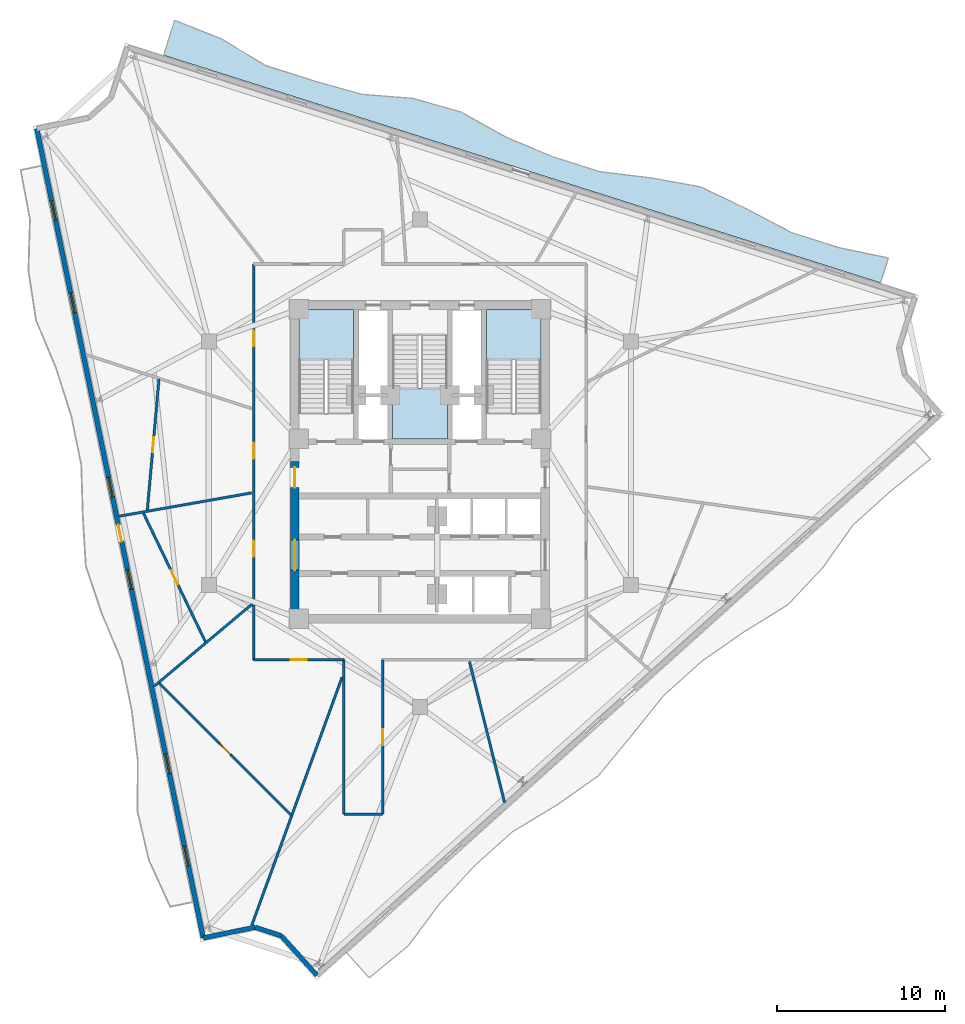
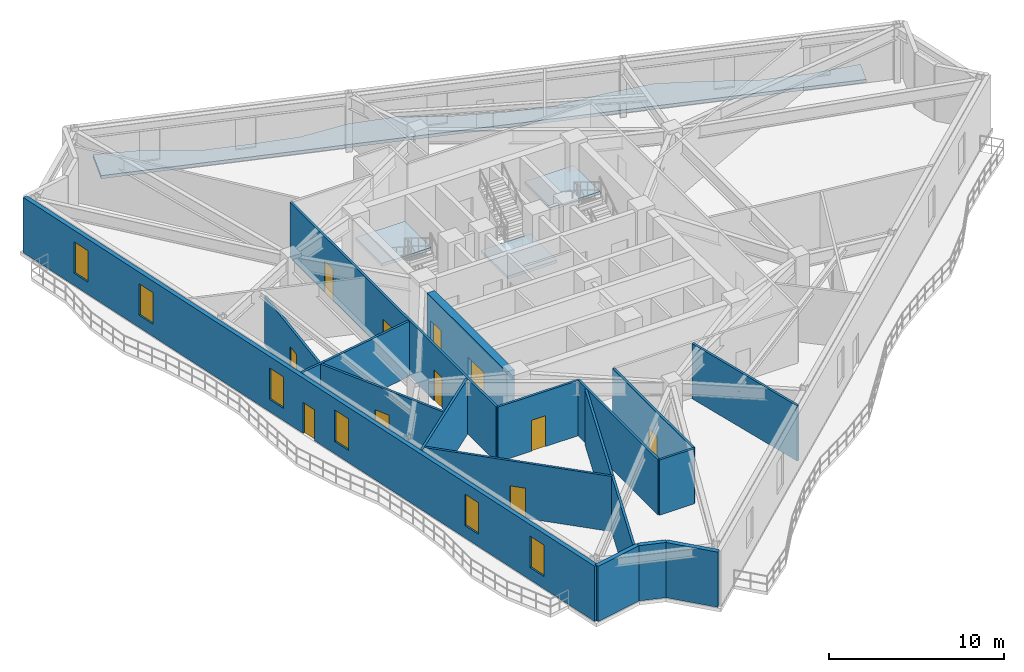
# One storey, part 5 of 12: 17 walls, 11 doors, 6 windows, 4 slabs, 17 openings, 3 elements without a shape of their own.
"""IFC4 building model written with IfcOpenShell, lengths in metres."""

import ifcopenshell
import ifcopenshell.guid

model = None  # the IFC model being written
_history = None  # IfcOwnerHistory: only IFC2X3 demands one
_inside = {}  # id of a spatial element -> (the spatial element, [elements in it])
_under = {}  # id of a project, library or spatial element -> (it, [spatial elements below it])
_declared = {}  # id of a project -> (the project, [libraries it declares])
_typed = {}  # id of a type object -> (the type object, [elements of that type])
_made_of = {}  # id of a material, layer set ... -> (it, [elements and type objects made of it])


def new_model(schema):
    """Start an empty IFC model of exactly this schema.

    Asked for "IFC4X3", IfcOpenShell would pick the latest addendum, in which some entities
    have other attributes; the version numbers below select the first issue.
    IFC2X3 requires an IfcOwnerHistory on every rooted entity: one is made here for all.
    """
    global model, _history
    if schema == "IFC4X3":
        model = ifcopenshell.file(schema_version=(4, 3, 0, 0))
    else:
        model = ifcopenshell.file(schema=schema)
    _inside.clear()
    _under.clear()
    _declared.clear()
    _typed.clear()
    _made_of.clear()
    _history = None
    if model.schema == "IFC2X3":
        org = make("IfcOrganization", Name="unknown")
        user = make(
            "IfcPersonAndOrganization",
            ThePerson=make("IfcPerson", FamilyName="unknown"),
            TheOrganization=org,
        )
        app = make(
            "IfcApplication",
            ApplicationDeveloper=org,
            Version="unknown",
            ApplicationFullName="unknown",
            ApplicationIdentifier="unknown",
        )
        _history = make(
            "IfcOwnerHistory",
            OwningUser=user,
            OwningApplication=app,
            ChangeAction="ADDED",
            CreationDate=0,
        )
    return model


def make(cls, **values):
    """One entity of the class cls with the attributes given. An attribute that is None is left unset."""
    return model.create_entity(
        cls, **{name: value for name, value in values.items() if value is not None}
    )


def rooted(cls, **values):
    """An entity with a GlobalId (a new one), such as an element, a storey or a relation."""
    return make(cls, GlobalId=ifcopenshell.guid.new(), OwnerHistory=_history, **values)


def si_unit(unit_type, name, prefix=None):
    """IfcSIUnit, for example si_unit("LENGTHUNIT", "METRE", prefix="MILLI")."""
    return make("IfcSIUnit", UnitType=unit_type, Prefix=prefix, Name=name)


def assignment(units):
    """IfcUnitAssignment: the units of a project."""
    return None if units is None else make("IfcUnitAssignment", Units=units)


def point(xyz):
    """IfcCartesianPoint."""
    return None if xyz is None else make("IfcCartesianPoint", Coordinates=xyz)


def direction(xyz):
    """IfcDirection."""
    return None if xyz is None else make("IfcDirection", DirectionRatios=xyz)


def frame(location, z_axis=None, x_axis=None):
    """IfcAxis2Placement3D, a coordinate frame: its origin and axes. An axis left out is left unset."""
    return make(
        "IfcAxis2Placement3D",
        Location=point(location),
        Axis=direction(z_axis),
        RefDirection=direction(x_axis),
    )


def frame_2d(location, x_axis=None):
    """IfcAxis2Placement2D, a coordinate frame in the plane: its origin and x axis."""
    return make(
        "IfcAxis2Placement2D", Location=point(location), RefDirection=direction(x_axis)
    )


def origin():
    """The frame at (0, 0, 0) with its axes left unset."""
    return frame((0.0, 0.0, 0.0))


def place(relative_to, where):
    """IfcLocalPlacement: puts the frame where relative to a parent placement (None: the world)."""
    return make(
        "IfcLocalPlacement", PlacementRelTo=relative_to, RelativePlacement=where
    )


def context(
    kind, dimensions, precision=None, world=None, true_north=None, identifier=None
):
    """IfcGeometricRepresentationContext, for example the 3D "Model" context."""
    return make(
        "IfcGeometricRepresentationContext",
        ContextIdentifier=identifier,
        ContextType=kind,
        CoordinateSpaceDimension=dimensions,
        Precision=precision,
        WorldCoordinateSystem=world,
        TrueNorth=true_north,
    )


def subcontext(parent, identifier, kind, view, scale=None):
    """IfcGeometricRepresentationSubContext, for example "Body" below "Model"."""
    return make(
        "IfcGeometricRepresentationSubContext",
        ContextIdentifier=identifier,
        ContextType=kind,
        ParentContext=parent,
        TargetScale=scale,
        TargetView=view,
    )


def project(units=None, contexts=None):
    """IfcProject with its units and contexts."""
    return rooted(
        "IfcProject",
        Name="project",
        RepresentationContexts=contexts,
        UnitsInContext=assignment(units),
    )


def spatial(cls, under=None, at=None, **own):
    """A site, building, storey or space (cls), placed at a placement, below another one or the project."""
    s = rooted(cls, ObjectPlacement=at, **own)
    if under is not None:
        _under.setdefault(under.id(), (under, []))[1].append(s)
    return s


def polyline(points):
    """IfcPolyline through the points."""
    return make("IfcPolyline", Points=[point(p) for p in points])


def profile(cls, at=None, kind="AREA", **sizes):
    """A parametric profile (cls). Its sizes go by their IFC names, for example OverallWidth=200.0."""
    return make(cls, ProfileType=kind, Position=at, **sizes)


def rectangle(**sizes):
    """IfcRectangleProfileDef."""
    return profile("IfcRectangleProfileDef", **sizes)


def outline(outer, holes=None, kind="AREA"):
    """IfcArbitraryClosedProfileDef: a profile drawn as a closed curve; with holes, ...WithVoids."""
    if holes is None:
        return make("IfcArbitraryClosedProfileDef", ProfileType=kind, OuterCurve=outer)
    return make(
        "IfcArbitraryProfileDefWithVoids",
        ProfileType=kind,
        OuterCurve=outer,
        InnerCurves=holes,
    )


def extrude(swept, where, along, depth):
    """IfcExtrudedAreaSolid: the profile swept, set in the frame where, extruded along a direction by depth."""
    return make(
        "IfcExtrudedAreaSolid",
        SweptArea=swept,
        Position=where,
        ExtrudedDirection=direction(along),
        Depth=depth,
    )


def shape(context_of_items, identifier, shape_type, items):
    """IfcShapeRepresentation: the items that make up one representation, for example the "Body"."""
    return make(
        "IfcShapeRepresentation",
        ContextOfItems=context_of_items,
        RepresentationIdentifier=identifier,
        RepresentationType=shape_type,
        Items=items,
    )


def material(Name=None, Category=None):
    """IfcMaterial."""
    return make("IfcMaterial", Name=Name, Category=Category)


def layer(
    of_material, thickness, ventilated=None, Name=None, Category=None, Priority=None
):
    """IfcMaterialLayer: one layer of a wall or slab, of a material (None: an air gap)."""
    return make(
        "IfcMaterialLayer",
        Material=of_material,
        LayerThickness=thickness,
        IsVentilated=ventilated,
        Name=Name,
        Category=Category,
        Priority=Priority,
    )


def layer_set(layers, Name=None):
    """IfcMaterialLayerSet."""
    return make("IfcMaterialLayerSet", MaterialLayers=layers, LayerSetName=Name)


def made_of(thing, what):
    """Note that an element or type object is made of a material, layer set ...; save() writes the relation."""
    if what is not None:
        _made_of.setdefault(what.id(), (what, []))[1].append(thing)
    return thing


def type_object(cls, material=None, **own):
    """A type object (cls), such as IfcWallType, which elements share."""
    return made_of(rooted(cls, **own), material)


def element(
    cls,
    number,
    at=None,
    inside=None,
    cuts=None,
    type_object=None,
    material=None,
    context=None,
    identifier="Body",
    shape_type=None,
    held_by="IfcProductDefinitionShape",
    body=None,
    shapes=None,
    **own,
):
    """One element of the class cls, such as IfcWall. Its Tag is "e" and its number.

    at: its placement. inside: the storey or other place that contains it. cuts: it is an
    opening in that element (IfcRelVoidsElement). A single representation is given by context,
    identifier, shape_type and body (its items); several are given by shapes. held_by: the class
    of the entity that holds the representations. save() writes the other relations.
    """
    e = rooted(cls, Tag="e%d" % number, ObjectPlacement=at, **own)
    if body is not None:
        shapes = [shape(context, identifier, shape_type, body)]
    if shapes is not None:
        e.Representation = make(held_by, Representations=shapes)
    if inside is not None:
        _inside.setdefault(inside.id(), (inside, []))[1].append(e)
    if cuts is not None:
        rooted(
            "IfcRelVoidsElement", RelatingBuildingElement=cuts, RelatedOpeningElement=e
        )
    if type_object is not None:
        _typed.setdefault(type_object.id(), (type_object, []))[1].append(e)
    return made_of(e, material)


def fill(opening, filler):
    """IfcRelFillsElement: the door or window that sits in an opening."""
    return rooted(
        "IfcRelFillsElement",
        RelatingOpeningElement=opening,
        RelatedBuildingElement=filler,
    )


def aggregate(whole, parts):
    """IfcRelAggregates: a whole, such as a stair, and the parts it consists of."""
    return rooted("IfcRelAggregates", RelatingObject=whole, RelatedObjects=parts)


def save(model, path):
    """Write the relations noted so far, then the file.

    IfcRelAggregates (storeys below a building ...), IfcRelContainedInSpatialStructure (elements
    in a storey), IfcRelDefinesByType, IfcRelAssociatesMaterial and IfcRelDeclares: one each for
    every whole, place, type object, material and project.
    """
    for whole, parts in _under.values():
        aggregate(whole, parts)
    for where, things in _inside.values():
        rooted(
            "IfcRelContainedInSpatialStructure",
            RelatedElements=things,
            RelatingStructure=where,
        )
    for kind, things in _typed.values():
        rooted("IfcRelDefinesByType", RelatedObjects=things, RelatingType=kind)
    for what, things in _made_of.values():
        rooted("IfcRelAssociatesMaterial", RelatedObjects=things, RelatingMaterial=what)
    for by, libraries in _declared.values():
        rooted("IfcRelDeclares", RelatingContext=by, RelatedDefinitions=libraries)
    model.write(path)


model = new_model("IFC4")

# Units and contexts
model_context = context("Model", 3, precision=1e-05, world=origin(), true_north=direction((0.0, 1.0)))
body_context = subcontext(model_context, "Body", "Model", "MODEL_VIEW")
ifc_project = project(units=[si_unit("LENGTHUNIT", "METRE"), si_unit("AREAUNIT", "SQUARE_METRE"), si_unit("VOLUMEUNIT", "CUBIC_METRE"), si_unit("PLANEANGLEUNIT", "RADIAN"), si_unit("MASSUNIT", "GRAM", prefix="KILO")], contexts=[model_context])

# Site, building, storey
site_placement = place(None, origin())
site = spatial("IfcSite", under=ifc_project, at=site_placement, CompositionType="ELEMENT")
building_placement = place(site_placement, origin())
building = spatial("IfcBuilding", under=site, at=building_placement, Name="Apsidion Concourse Tower", CompositionType="ELEMENT")
storey_placement = place(building_placement, frame((0.0, 0.0, 232.199951171875)))
storey = spatial("IfcBuildingStorey", under=building, at=storey_placement, Name="L54", CompositionType="ELEMENT", Elevation=232.199951171875)

# Slab
ifc_material_1 = material(Name="Concrete C50/60", Category="concrete")
ifc_layer_1 = layer(ifc_material_1, 0.219970703125)
ifc_layer_set_1 = layer_set([ifc_layer_1], Name="Concrete C50/60")
slab_type_1 = type_object("IfcSlabType", Name="SL-BAL-220", PredefinedType="FLOOR", material=ifc_layer_set_1)
slab_1_placement = place(storey_placement, frame((0.0, 0.0, -0.219970703125)))
element("IfcSlab", 1, at=slab_1_placement, inside=storey, type_object=slab_type_1, Name="L54 Face 3 Rippling Balcony Slab", PredefinedType="FLOOR", context=body_context, shape_type="SweptSolid", body=[
    extrude(outline(polyline([(27.39599609375, 10.727294921875), (24.552978515625, 11.63037109375), (21.7099609375, 12.533447265625), (18.86669921875, 13.436279296875), (16.023681640625, 14.33935546875), (13.1806640625, 15.2421875), (10.337646484375, 16.145263671875), (7.49462890625, 17.04833984375), (4.651611328125, 17.951416015625), (1.80859375, 18.854248046875), (-1.03466796875, 19.75732421875), (-3.877685546875, 20.660400390625), (-6.720703125, 21.563232421875), (-9.563720703125, 22.46630859375), (-12.40673828125, 23.369140625), (-15.25, 24.272216796875), (-14.59228515625, 26.342529296875), (-11.81201171875, 25.24169921875), (-9.185302734375, 23.65771484375), (-6.34228515625, 22.754638671875), (-3.47021484375, 21.943115234375), (-0.417236328125, 21.70068359375), (2.45458984375, 20.888671875), (5.110107421875, 19.3955078125), (7.873046875, 18.23974609375), (10.716064453125, 17.336669921875), (13.731201171875, 16.9755859375), (16.689697265625, 16.435791015625), (19.40771484375, 15.13916015625), (22.08837890625, 13.724609375), (24.931396484375, 12.82177734375), (27.865234375, 12.20458984375), (27.39599609375, 10.727294921875)])), origin(), (0.0, 0.0, 1.0), 0.219970703125),
])

# Stair, slab
ifc_material_2 = material(Name="Precast concrete C40/50", Category="concrete")
stair_type = type_object("IfcStairType", Name="ST-DL-1550", PredefinedType="HALF_TURN_STAIR", material=ifc_material_2)
stair_1_placement = place(storey_placement, origin())
stair_1 = element("IfcStair", 2, at=stair_1_placement, inside=storey, type_object=stair_type, Name="L54 Protected Core Exit Stair ST1", PredefinedType="HALF_TURN_STAIR")
ifc_layer_2 = layer(ifc_material_1, 0.199951171875)
ifc_layer_set_2 = layer_set([ifc_layer_2], Name="Concrete C50/60")
slab_type_2 = type_object("IfcSlabType", Name="SL-ST-LAND-200", PredefinedType="LANDING", material=ifc_layer_set_2)
slab_2_placement = place(storey_placement, frame((0.0, 0.0, 1.85009765625)))
slab_2 = element("IfcSlab", 3, at=slab_2_placement, type_object=slab_type_2, Name="ST1 landing 1", PredefinedType="LANDING", context=body_context, shape_type="SweptSolid", body=[
    extrude(outline(polyline([(-3.949951171875, 6.135009765625), (-3.949951171875, 9.14990234375), (-7.199951171875, 9.14990234375), (-7.199951171875, 6.135009765625), (-3.949951171875, 6.135009765625)])), origin(), (0.0, 0.0, 1.0), 0.199951171875),
])
aggregate(stair_1, [slab_2])

stair_2_placement = place(storey_placement, origin())
stair_2 = element("IfcStair", 4, at=stair_2_placement, inside=storey, type_object=stair_type, Name="L54 Protected Core Exit Stair ST2", PredefinedType="HALF_TURN_STAIR")
slab_3_placement = place(storey_placement, frame((0.0, 0.0, 1.85009765625)))
slab_3 = element("IfcSlab", 5, at=slab_3_placement, type_object=slab_type_2, Name="ST2 landing 1", PredefinedType="LANDING", context=body_context, shape_type="SweptSolid", body=[
    extrude(outline(polyline([(7.199951171875, 6.135009765625), (7.199951171875, 9.14990234375), (3.949951171875, 9.14990234375), (3.949951171875, 6.135009765625), (7.199951171875, 6.135009765625)])), origin(), (0.0, 0.0, 1.0), 0.199951171875),
])
aggregate(stair_2, [slab_3])

stair_3_placement = place(storey_placement, origin())
stair_3 = element("IfcStair", 6, at=stair_3_placement, inside=storey, type_object=stair_type, Name="L54 Protected Core Exit Stair ST3", PredefinedType="HALF_TURN_STAIR")
slab_4_placement = place(storey_placement, frame((0.0, 0.0, 1.85009765625)))
slab_4 = element("IfcSlab", 7, at=slab_4_placement, type_object=slab_type_2, Name="ST3 landing 1", PredefinedType="LANDING", context=body_context, shape_type="SweptSolid", body=[
    extrude(outline(polyline([(-1.625, 4.465087890625), (-1.625, 1.449951171875), (1.625, 1.449951171875), (1.625, 4.465087890625), (-1.625, 4.465087890625)])), origin(), (0.0, 0.0, 1.0), 0.199951171875),
])
aggregate(stair_3, [slab_4])

# Walls
ifc_layer_3 = layer(ifc_material_2, 0.280029296875)
ifc_layer_set_3 = layer_set([ifc_layer_3], Name="Precast concrete C40/50")
wall_type_1 = type_object("IfcWallType", Name="WL-EXT-280", PredefinedType="STANDARD", material=ifc_layer_set_3)
wall_1_placement = place(storey_placement, frame((-6.13330078125, -30.46044921875, 0.0), z_axis=(0.0, 0.0, 1.0), x_axis=(-0.669131702868, 0.743143838175, 0.0)))
element("IfcWall", 8, at=wall_1_placement, inside=storey, type_object=wall_type_1, Name="L54 Precast Stone Facade Wall 06", PredefinedType="STANDARD", context=body_context, shape_type="SweptSolid", body=[
    extrude(rectangle(XDim=3.150146484375, YDim=0.280029296875, at=frame_2d((1.5751953125, 0.0))), origin(), (0.0, 0.0, 1.0), 3.85009765625),
])
wall_2_placement = place(storey_placement, frame((-8.2412109375, -28.119384765625, 0.0), z_axis=(0.0, 0.0, 1.0), x_axis=(-0.950036767419, 0.312138015231, 0.0)))
element("IfcWall", 9, at=wall_2_placement, inside=storey, type_object=wall_type_1, Name="L54 Precast Stone Facade Wall 07", PredefinedType="STANDARD", context=body_context, shape_type="SweptSolid", body=[
    extrude(rectangle(XDim=1.648681640625, YDim=0.280029296875, at=frame_2d((0.82421875, 0.0))), origin(), (0.0, 0.0, 1.0), 3.85009765625),
])
wall_3_placement = place(storey_placement, frame((-9.8076171875, -27.604736328125, 0.0), z_axis=(0.0, 0.0, 1.0), x_axis=(-0.979505186658, -0.201418939799, 0.0)))
element("IfcWall", 10, at=wall_3_placement, inside=storey, type_object=wall_type_1, Name="L54 Precast Stone Facade Wall 08", PredefinedType="STANDARD", context=body_context, shape_type="SweptSolid", body=[
    extrude(rectangle(XDim=3.150146484375, YDim=0.280029296875, at=frame_2d((1.5751953125, 0.0))), origin(), (0.0, 0.0, 1.0), 3.85009765625),
])

# Wall, openings, door, windows
wall_4_placement = place(storey_placement, frame((-12.893310546875, -28.2392578125, 0.0), z_axis=(0.0, 0.0, 1.0), x_axis=(-0.201426823496, 0.979503565474, 0.0)))
wall_4 = element("IfcWall", 11, at=wall_4_placement, inside=storey, type_object=wall_type_1, Name="L54 Precast Stone Facade Wall 09", PredefinedType="STANDARD", context=body_context, shape_type="SweptSolid", body=[
    extrude(rectangle(XDim=49.145263671875, YDim=0.280029296875, at=frame_2d((24.57275390625, 0.0))), origin(), (0.0, 0.0, 1.0), 3.85009765625),
])
opening_1_placement = place(wall_4_placement, frame((24.072509765625, 0.0, 0.0)))
opening_1 = element("IfcOpeningElement", 12, at=opening_1_placement, cuts=wall_4, Name="Opening D-T1L", PredefinedType="OPENING", context=body_context, shape_type="SweptSolid", body=[
    extrude(rectangle(XDim=1.0, YDim=2.14990234375, at=frame_2d((0.5, 1.074951171875))), frame((0.0, 0.14990234375, 0.0), z_axis=(0.0, -1.0, 0.0), x_axis=(1.0, 0.0, 0.0)), (0.0, 0.0, 1.0), 0.300048828125),
])
opening_2_placement = place(wall_4_placement, frame((4.37255859375, 0.0, 0.85009765625)))
opening_2 = element("IfcOpeningElement", 13, at=opening_2_placement, cuts=wall_4, Name="Opening WN-06", PredefinedType="OPENING", context=body_context, shape_type="SweptSolid", body=[
    extrude(rectangle(XDim=1.199951171875, YDim=2.199951171875, at=frame_2d((0.60009765625, 1.10009765625))), frame((0.0, 0.14990234375, 0.0), z_axis=(0.0, -1.0, 0.0), x_axis=(1.0, 0.0, 0.0)), (0.0, 0.0, 1.0), 0.300048828125),
])
opening_3_placement = place(wall_4_placement, frame((9.97265625, 0.0, 0.85009765625)))
opening_3 = element("IfcOpeningElement", 14, at=opening_3_placement, cuts=wall_4, Name="Opening WN-06", PredefinedType="OPENING", context=body_context, shape_type="SweptSolid", body=[
    extrude(rectangle(XDim=1.199951171875, YDim=2.199951171875, at=frame_2d((0.60009765625, 1.10009765625))), frame((0.0, 0.14990234375, 0.0), z_axis=(0.0, -1.0, 0.0), x_axis=(1.0, 0.0, 0.0)), (0.0, 0.0, 1.0), 0.300048828125),
])
opening_4_placement = place(wall_4_placement, frame((21.172607421875, 0.0, 0.85009765625)))
opening_4 = element("IfcOpeningElement", 15, at=opening_4_placement, cuts=wall_4, Name="Opening WN-06", PredefinedType="OPENING", context=body_context, shape_type="SweptSolid", body=[
    extrude(rectangle(XDim=1.199951171875, YDim=2.199951171875, at=frame_2d((0.60009765625, 1.10009765625))), frame((0.0, 0.14990234375, 0.0), z_axis=(0.0, -1.0, 0.0), x_axis=(1.0, 0.0, 0.0)), (0.0, 0.0, 1.0), 0.300048828125),
])
opening_5_placement = place(wall_4_placement, frame((26.772705078125, 0.0, 0.85009765625)))
opening_5 = element("IfcOpeningElement", 16, at=opening_5_placement, cuts=wall_4, Name="Opening WN-06", PredefinedType="OPENING", context=body_context, shape_type="SweptSolid", body=[
    extrude(rectangle(XDim=1.199951171875, YDim=2.199951171875, at=frame_2d((0.60009765625, 1.10009765625))), frame((0.0, 0.14990234375, 0.0), z_axis=(0.0, -1.0, 0.0), x_axis=(1.0, 0.0, 0.0)), (0.0, 0.0, 1.0), 0.300048828125),
])
opening_6_placement = place(wall_4_placement, frame((37.97265625, 0.0, 0.85009765625)))
opening_6 = element("IfcOpeningElement", 17, at=opening_6_placement, cuts=wall_4, Name="Opening WN-06", PredefinedType="OPENING", context=body_context, shape_type="SweptSolid", body=[
    extrude(rectangle(XDim=1.199951171875, YDim=2.199951171875, at=frame_2d((0.60009765625, 1.10009765625))), frame((0.0, 0.14990234375, 0.0), z_axis=(0.0, -1.0, 0.0), x_axis=(1.0, 0.0, 0.0)), (0.0, 0.0, 1.0), 0.300048828125),
])
opening_7_placement = place(wall_4_placement, frame((43.572509765625, 0.0, 0.85009765625)))
opening_7 = element("IfcOpeningElement", 18, at=opening_7_placement, cuts=wall_4, Name="Opening WN-06", PredefinedType="OPENING", context=body_context, shape_type="SweptSolid", body=[
    extrude(rectangle(XDim=1.199951171875, YDim=2.199951171875, at=frame_2d((0.60009765625, 1.10009765625))), frame((0.0, 0.14990234375, 0.0), z_axis=(0.0, -1.0, 0.0), x_axis=(1.0, 0.0, 0.0)), (0.0, 0.0, 1.0), 0.300048828125),
])
ifc_material_3 = material(Name="Anodised aluminium EN AW-6063 T6", Category="aluminium")
door_type_1 = type_object("IfcDoorType", Name="DR-TER-1022L", OperationType="SINGLE_SWING_LEFT", PredefinedType="DOOR", material=ifc_material_3)
door_1_placement = place(opening_1_placement, origin())
door_1 = element("IfcDoor", 19, at=door_1_placement, inside=storey, type_object=door_type_1, Name="L54 Balcony Access Door 1", OperationType="SINGLE_SWING_LEFT", OverallHeight=2.14990234375, OverallWidth=1.0, PredefinedType="DOOR", context=body_context, shape_type="SweptSolid", body=[
    extrude(rectangle(XDim=1.0, YDim=2.14990234375, at=frame_2d((0.5, 1.074951171875))), frame((0.0, 0.02490234375, 0.0), z_axis=(0.0, -1.0, 0.0), x_axis=(1.0, 0.0, 0.0)), (0.0, 0.0, 1.0), 0.050048828125),
])
fill(opening_1, door_1)
ifc_material_4 = material(Name="Insulated laminated low-E glass", Category="glass")
window_type = type_object("IfcWindowType", Name="WN-OFF-1224", PartitioningType="SINGLE_PANEL", PredefinedType="WINDOW", material=ifc_material_4)
window_1_placement = place(opening_2_placement, origin())
window_1 = element("IfcWindow", 20, at=window_1_placement, inside=storey, type_object=window_type, Name="L54 Punched Facade Window 9-01", OverallHeight=2.199951171875, OverallWidth=1.199951171875, PartitioningType="SINGLE_PANEL", PredefinedType="WINDOW", context=body_context, shape_type="SweptSolid", body=[
    extrude(rectangle(XDim=1.199951171875, YDim=2.199951171875, at=frame_2d((0.60009765625, 1.10009765625))), frame((0.0, 0.030029296875, 0.0), z_axis=(0.0, -1.0, 0.0), x_axis=(1.0, 0.0, 0.0)), (0.0, 0.0, 1.0), 0.06005859375),
])
fill(opening_2, window_1)
window_2_placement = place(opening_3_placement, origin())
window_2 = element("IfcWindow", 21, at=window_2_placement, inside=storey, type_object=window_type, Name="L54 Punched Facade Window 9-02", OverallHeight=2.199951171875, OverallWidth=1.199951171875, PartitioningType="SINGLE_PANEL", PredefinedType="WINDOW", context=body_context, shape_type="SweptSolid", body=[
    extrude(rectangle(XDim=1.199951171875, YDim=2.199951171875, at=frame_2d((0.60009765625, 1.10009765625))), frame((0.0, 0.030029296875, 0.0), z_axis=(0.0, -1.0, 0.0), x_axis=(1.0, 0.0, 0.0)), (0.0, 0.0, 1.0), 0.06005859375),
])
fill(opening_3, window_2)
window_3_placement = place(opening_4_placement, origin())
window_3 = element("IfcWindow", 22, at=window_3_placement, inside=storey, type_object=window_type, Name="L54 Punched Facade Window 9-04", OverallHeight=2.199951171875, OverallWidth=1.199951171875, PartitioningType="SINGLE_PANEL", PredefinedType="WINDOW", context=body_context, shape_type="SweptSolid", body=[
    extrude(rectangle(XDim=1.199951171875, YDim=2.199951171875, at=frame_2d((0.60009765625, 1.10009765625))), frame((0.0, 0.030029296875, 0.0), z_axis=(0.0, -1.0, 0.0), x_axis=(1.0, 0.0, 0.0)), (0.0, 0.0, 1.0), 0.06005859375),
])
fill(opening_4, window_3)
window_4_placement = place(opening_5_placement, origin())
window_4 = element("IfcWindow", 23, at=window_4_placement, inside=storey, type_object=window_type, Name="L54 Punched Facade Window 9-05", OverallHeight=2.199951171875, OverallWidth=1.199951171875, PartitioningType="SINGLE_PANEL", PredefinedType="WINDOW", context=body_context, shape_type="SweptSolid", body=[
    extrude(rectangle(XDim=1.199951171875, YDim=2.199951171875, at=frame_2d((0.60009765625, 1.10009765625))), frame((0.0, 0.030029296875, 0.0), z_axis=(0.0, -1.0, 0.0), x_axis=(1.0, 0.0, 0.0)), (0.0, 0.0, 1.0), 0.06005859375),
])
fill(opening_5, window_4)
window_5_placement = place(opening_6_placement, origin())
window_5 = element("IfcWindow", 24, at=window_5_placement, inside=storey, type_object=window_type, Name="L54 Punched Facade Window 9-07", OverallHeight=2.199951171875, OverallWidth=1.199951171875, PartitioningType="SINGLE_PANEL", PredefinedType="WINDOW", context=body_context, shape_type="SweptSolid", body=[
    extrude(rectangle(XDim=1.199951171875, YDim=2.199951171875, at=frame_2d((0.60009765625, 1.10009765625))), frame((0.0, 0.030029296875, 0.0), z_axis=(0.0, -1.0, 0.0), x_axis=(1.0, 0.0, 0.0)), (0.0, 0.0, 1.0), 0.06005859375),
])
fill(opening_6, window_5)
window_6_placement = place(opening_7_placement, origin())
window_6 = element("IfcWindow", 25, at=window_6_placement, inside=storey, type_object=window_type, Name="L54 Punched Facade Window 9-08", OverallHeight=2.199951171875, OverallWidth=1.199951171875, PartitioningType="SINGLE_PANEL", PredefinedType="WINDOW", context=body_context, shape_type="SweptSolid", body=[
    extrude(rectangle(XDim=1.199951171875, YDim=2.199951171875, at=frame_2d((0.60009765625, 1.10009765625))), frame((0.0, 0.030029296875, 0.0), z_axis=(0.0, -1.0, 0.0), x_axis=(1.0, 0.0, 0.0)), (0.0, 0.0, 1.0), 0.06005859375),
])
fill(opening_7, window_6)

# Wall, opening, door
ifc_material_5 = material(Name="Gypsum plasterboard partition")
ifc_layer_4 = layer(ifc_material_5, 0.14990234375)
ifc_layer_set_4 = layer_set([ifc_layer_4], Name="Gypsum plasterboard partition")
wall_type_2 = type_object("IfcWallType", Name="WL-INT-PAR-150", PredefinedType="PARTITIONING", material=ifc_layer_set_4)
wall_5_placement = place(storey_placement, frame((-4.530029296875, -11.699951171875, 0.0), z_axis=(0.0, 0.0, 1.0), x_axis=(-1.0, 0.0, 0.0)))
wall_5 = element("IfcWall", 26, at=wall_5_placement, inside=storey, type_object=wall_type_2, Name="L54 Interior Partition WL-L54-CORR-01", PredefinedType="PARTITIONING", context=body_context, shape_type="SweptSolid", body=[
    extrude(rectangle(XDim=5.369873046875, YDim=0.14990234375, at=frame_2d((2.68505859375, 0.0))), origin(), (0.0, 0.0, 1.0), 3.85009765625),
])
opening_8_placement = place(wall_5_placement, frame((2.2099609375, 0.0, 0.0)))
opening_8 = element("IfcOpeningElement", 27, at=opening_8_placement, cuts=wall_5, Name="Opening D-01R", PredefinedType="OPENING", context=body_context, shape_type="SweptSolid", body=[
    extrude(rectangle(XDim=0.949951171875, YDim=2.14990234375, at=frame_2d((0.47509765625, 1.074951171875))), frame((0.0, 0.0849609375, 0.0), z_axis=(0.0, -1.0, 0.0), x_axis=(1.0, 0.0, 0.0)), (0.0, 0.0, 1.0), 0.169921875),
])
ifc_material_6 = material(Name="Brushed stainless steel 316", Category="steel")
door_type_2 = type_object("IfcDoorType", Name="DR-INT-D01R", OperationType="SINGLE_SWING_RIGHT", PredefinedType="DOOR", material=ifc_material_6)
door_2_placement = place(opening_8_placement, origin())
door_2 = element("IfcDoor", 28, at=door_2_placement, inside=storey, type_object=door_type_2, Name="L54 Corridor Entry Door 02", OperationType="SINGLE_SWING_RIGHT", OverallHeight=2.14990234375, OverallWidth=0.949951171875, PredefinedType="DOOR", context=body_context, shape_type="SweptSolid", body=[
    extrude(rectangle(XDim=0.949951171875, YDim=2.14990234375, at=frame_2d((0.47509765625, 1.074951171875))), frame((0.0, 0.02490234375, 0.0), z_axis=(0.0, -1.0, 0.0), x_axis=(1.0, 0.0, 0.0)), (0.0, 0.0, 1.0), 0.050048828125),
])
fill(opening_8, door_2)

# Wall, openings, doors
wall_6_placement = place(storey_placement, frame((-9.89990234375, -11.699951171875, 0.0), z_axis=(0.0, 0.0, 1.0), x_axis=(0.0, 1.0, 0.0)))
wall_6 = element("IfcWall", 29, at=wall_6_placement, inside=storey, type_object=wall_type_2, Name="L54 Interior Partition WL-L54-CORR-02", PredefinedType="PARTITIONING", context=body_context, shape_type="SweptSolid", body=[
    extrude(rectangle(XDim=23.550048828125, YDim=0.14990234375, at=frame_2d((11.77490234375, 0.0))), origin(), (0.0, 0.0, 1.0), 3.85009765625),
])
opening_9_placement = place(wall_6_placement, frame((6.14501953125, 0.0, 0.0)))
opening_9 = element("IfcOpeningElement", 30, at=opening_9_placement, cuts=wall_6, Name="Opening D-01L", PredefinedType="OPENING", context=body_context, shape_type="SweptSolid", body=[
    extrude(rectangle(XDim=0.949951171875, YDim=2.14990234375, at=frame_2d((0.47509765625, 1.074951171875))), frame((0.0, 0.0849609375, 0.0), z_axis=(0.0, -1.0, 0.0), x_axis=(1.0, 0.0, 0.0)), (0.0, 0.0, 1.0), 0.169921875),
])
opening_10_placement = place(wall_6_placement, frame((18.645263671875, 0.0, 0.0)))
opening_10 = element("IfcOpeningElement", 31, at=opening_10_placement, cuts=wall_6, Name="Opening D-01R", PredefinedType="OPENING", context=body_context, shape_type="SweptSolid", body=[
    extrude(rectangle(XDim=0.949951171875, YDim=2.14990234375, at=frame_2d((0.47509765625, 1.074951171875))), frame((0.0, 0.0849609375, 0.0), z_axis=(0.0, -1.0, 0.0), x_axis=(1.0, 0.0, 0.0)), (0.0, 0.0, 1.0), 0.169921875),
])
opening_11_placement = place(wall_6_placement, frame((11.966552734375, 0.0, 0.0)))
opening_11 = element("IfcOpeningElement", 32, at=opening_11_placement, cuts=wall_6, Name="Opening D-01L", PredefinedType="OPENING", context=body_context, shape_type="SweptSolid", body=[
    extrude(rectangle(XDim=0.949951171875, YDim=2.14990234375, at=frame_2d((0.47509765625, 1.074951171875))), frame((0.0, 0.0849609375, 0.0), z_axis=(0.0, -1.0, 0.0), x_axis=(1.0, 0.0, 0.0)), (0.0, 0.0, 1.0), 0.169921875),
])
door_type_3 = type_object("IfcDoorType", Name="DR-INT-D01L", OperationType="SINGLE_SWING_LEFT", PredefinedType="DOOR", material=ifc_material_6)
door_3_placement = place(opening_9_placement, origin())
door_3 = element("IfcDoor", 33, at=door_3_placement, inside=storey, type_object=door_type_3, Name="L54 Corridor Entry Door 01", OperationType="SINGLE_SWING_LEFT", OverallHeight=2.14990234375, OverallWidth=0.949951171875, PredefinedType="DOOR", context=body_context, shape_type="SweptSolid", body=[
    extrude(rectangle(XDim=0.949951171875, YDim=2.14990234375, at=frame_2d((0.47509765625, 1.074951171875))), frame((0.0, 0.02490234375, 0.0), z_axis=(0.0, -1.0, 0.0), x_axis=(1.0, 0.0, 0.0)), (0.0, 0.0, 1.0), 0.050048828125),
])
fill(opening_9, door_3)
door_4_placement = place(opening_11_placement, origin())
door_4 = element("IfcDoor", 34, at=door_4_placement, inside=storey, type_object=door_type_3, Name="L54 Corridor Entry Door 11", OperationType="SINGLE_SWING_LEFT", OverallHeight=2.14990234375, OverallWidth=0.949951171875, PredefinedType="DOOR", context=body_context, shape_type="SweptSolid", body=[
    extrude(rectangle(XDim=0.949951171875, YDim=2.14990234375, at=frame_2d((0.47509765625, 1.074951171875))), frame((0.0, 0.02490234375, 0.0), z_axis=(0.0, -1.0, 0.0), x_axis=(1.0, 0.0, 0.0)), (0.0, 0.0, 1.0), 0.050048828125),
])
fill(opening_11, door_4)
door_5_placement = place(opening_10_placement, origin())
door_5 = element("IfcDoor", 35, at=door_5_placement, inside=storey, type_object=door_type_2, Name="L54 Corridor Entry Door 10", OperationType="SINGLE_SWING_RIGHT", OverallHeight=2.14990234375, OverallWidth=0.949951171875, PredefinedType="DOOR", context=body_context, shape_type="SweptSolid", body=[
    extrude(rectangle(XDim=0.949951171875, YDim=2.14990234375, at=frame_2d((0.47509765625, 1.074951171875))), frame((0.0, 0.02490234375, 0.0), z_axis=(0.0, -1.0, 0.0), x_axis=(1.0, 0.0, 0.0)), (0.0, 0.0, 1.0), 0.050048828125),
])
fill(opening_10, door_5)

# Wall, opening, door
wall_7_placement = place(storey_placement, frame((-2.219970703125, -11.699951171875, 0.0), z_axis=(0.0, 0.0, 1.0), x_axis=(0.0, -1.0, 0.0)))
wall_7 = element("IfcWall", 36, at=wall_7_placement, inside=storey, type_object=wall_type_2, Name="L54 Interior Partition WL-L54-CORR-10", PredefinedType="PARTITIONING", context=body_context, shape_type="SweptSolid", body=[
    extrude(rectangle(XDim=9.179931640625, YDim=0.14990234375, at=frame_2d((4.58984375, 0.0))), origin(), (0.0, 0.0, 1.0), 3.85009765625),
])
opening_12_placement = place(wall_7_placement, frame((4.114990234375, 0.0, 0.0)))
opening_12 = element("IfcOpeningElement", 37, at=opening_12_placement, cuts=wall_7, Name="Opening D-01L", PredefinedType="OPENING", context=body_context, shape_type="SweptSolid", body=[
    extrude(rectangle(XDim=0.949951171875, YDim=2.14990234375, at=frame_2d((0.47509765625, 1.074951171875))), frame((0.0, 0.0849609375, 0.0), z_axis=(0.0, -1.0, 0.0), x_axis=(1.0, 0.0, 0.0)), (0.0, 0.0, 1.0), 0.169921875),
])
door_6_placement = place(opening_12_placement, origin())
door_6 = element("IfcDoor", 38, at=door_6_placement, inside=storey, type_object=door_type_3, Name="L54 Corridor Entry Door 03", OperationType="SINGLE_SWING_LEFT", OverallHeight=2.14990234375, OverallWidth=0.949951171875, PredefinedType="DOOR", context=body_context, shape_type="SweptSolid", body=[
    extrude(rectangle(XDim=0.949951171875, YDim=2.14990234375, at=frame_2d((0.47509765625, 1.074951171875))), frame((0.0, 0.02490234375, 0.0), z_axis=(0.0, -1.0, 0.0), x_axis=(1.0, 0.0, 0.0)), (0.0, 0.0, 1.0), 0.050048828125),
])
fill(opening_12, door_6)

# Walls
wall_8_placement = place(storey_placement, frame((-2.219970703125, -20.8798828125, 0.0), z_axis=(0.0, 0.0, 1.0), x_axis=(-1.0, 0.0, 0.0)))
element("IfcWall", 39, at=wall_8_placement, inside=storey, type_object=wall_type_2, Name="L54 Interior Partition WL-L54-CORR-11", PredefinedType="PARTITIONING", context=body_context, shape_type="SweptSolid", body=[
    extrude(rectangle(XDim=2.31005859375, YDim=0.14990234375, at=frame_2d((1.155029296875, 0.0))), origin(), (0.0, 0.0, 1.0), 3.85009765625),
])
wall_9_placement = place(storey_placement, frame((-4.530029296875, -20.8798828125, 0.0), z_axis=(0.0, 0.0, 1.0), x_axis=(0.0, 1.0, 0.0)))
element("IfcWall", 40, at=wall_9_placement, inside=storey, type_object=wall_type_2, Name="L54 Interior Partition WL-L54-CORR-12", PredefinedType="PARTITIONING", context=body_context, shape_type="SweptSolid", body=[
    extrude(rectangle(XDim=9.179931640625, YDim=0.14990234375, at=frame_2d((4.58984375, 0.0))), origin(), (0.0, 0.0, 1.0), 3.85009765625),
])
wall_10_placement = place(storey_placement, frame((-10.0048828125, -1.76416015625, 0.0), z_axis=(0.0, 0.0, 1.0), x_axis=(-0.984809322237, -0.173639277917, 0.0)))
element("IfcWall", 41, at=wall_10_placement, inside=storey, type_object=wall_type_2, Name="L54 Interior Partition WL-L54-RAD-06-1", PredefinedType="PARTITIONING", context=body_context, shape_type="SweptSolid", body=[
    extrude(rectangle(XDim=8.010009765625, YDim=0.14990234375, at=frame_2d((4.0048828125, 0.0))), origin(), (0.0, 0.0, 1.0), 3.85009765625),
])
wall_11_placement = place(storey_placement, frame((-10.0048828125, -8.395263671875, 0.0), z_axis=(0.0, 0.0, 1.0), x_axis=(-0.766058052835, -0.64277138991, 0.0)))
element("IfcWall", 42, at=wall_11_placement, inside=storey, type_object=wall_type_2, Name="L54 Interior Partition WL-L54-RAD-07-1", PredefinedType="PARTITIONING", context=body_context, shape_type="SweptSolid", body=[
    extrude(rectangle(XDim=7.58251953125, YDim=0.14990234375, at=frame_2d((3.791259765625, 0.0))), origin(), (0.0, 0.0, 1.0), 3.85009765625),
])
wall_12_placement = place(storey_placement, frame((-4.635009765625, -12.734619140625, 0.0), z_axis=(0.0, 0.0, 1.0), x_axis=(-0.342021497246, -0.939692127998, 0.0)))
element("IfcWall", 43, at=wall_12_placement, inside=storey, type_object=wall_type_2, Name="L54 Interior Partition WL-L54-RAD-08-1", PredefinedType="PARTITIONING", context=body_context, shape_type="SweptSolid", body=[
    extrude(rectangle(XDim=15.698974609375, YDim=0.14990234375, at=frame_2d((7.849609375, 0.0))), origin(), (0.0, 0.0, 1.0), 3.85009765625),
])
wall_13_placement = place(storey_placement, frame((2.943359375, -11.804931640625, 0.0), z_axis=(0.0, 0.0, 1.0), x_axis=(0.241924425986, -0.970295095376, 0.0)))
element("IfcWall", 44, at=wall_13_placement, inside=storey, type_object=wall_type_2, Name="L54 Interior Partition WL-L54-RAD-09-1", PredefinedType="PARTITIONING", context=body_context, shape_type="SweptSolid", body=[
    extrude(rectangle(XDim=8.6474609375, YDim=0.14990234375, at=frame_2d((4.32373046875, 0.0))), origin(), (0.0, 0.0, 1.0), 3.85009765625),
])

# Wall, opening, door
wall_14_placement = place(storey_placement, frame((-16.470703125, -2.9296875, 0.0), z_axis=(0.0, 0.0, 1.0), x_axis=(0.434035401787, -0.900895815283, 0.0)))
wall_14 = element("IfcWall", 45, at=wall_14_placement, inside=storey, type_object=wall_type_2, Name="L54 Interior Partition WL-L54-CHD-OFWC", PredefinedType="PARTITIONING", context=body_context, shape_type="SweptSolid", body=[
    extrude(rectangle(XDim=8.5830078125, YDim=0.14990234375, at=frame_2d((4.29150390625, 0.0))), origin(), (0.0, 0.0, 1.0), 3.85009765625),
])
opening_13_placement = place(wall_14_placement, frame((3.81640625, 0.0, 0.0)))
opening_13 = element("IfcOpeningElement", 46, at=opening_13_placement, cuts=wall_14, Name="Opening D-04L", PredefinedType="OPENING", context=body_context, shape_type="SweptSolid", body=[
    extrude(rectangle(XDim=0.949951171875, YDim=2.14990234375, at=frame_2d((0.47509765625, 1.074951171875))), frame((0.0, 0.0849609375, 0.0), z_axis=(0.0, -1.0, 0.0), x_axis=(1.0, 0.0, 0.0)), (0.0, 0.0, 1.0), 0.169921875),
])
door_type_4 = type_object("IfcDoorType", Name="DR-INT-D04L", OperationType="SINGLE_SWING_LEFT", PredefinedType="DOOR", material=ifc_material_6)
door_7_placement = place(opening_13_placement, origin())
door_7 = element("IfcDoor", 47, at=door_7_placement, inside=storey, type_object=door_type_4, Name="L54 Suite Connecting Door OFWC", OperationType="SINGLE_SWING_LEFT", OverallHeight=2.14990234375, OverallWidth=0.949951171875, PredefinedType="DOOR", context=body_context, shape_type="SweptSolid", body=[
    extrude(rectangle(XDim=0.949951171875, YDim=2.14990234375, at=frame_2d((0.47509765625, 1.074951171875))), frame((0.0, 0.02490234375, 0.0), z_axis=(0.0, -1.0, 0.0), x_axis=(1.0, 0.0, 0.0)), (0.0, 0.0, 1.0), 0.050048828125),
])
fill(opening_13, door_7)

wall_15_placement = place(storey_placement, frame((-15.527587890625, -13.06201171875, 0.0), z_axis=(0.0, 0.0, 1.0), x_axis=(0.706087904812, -0.708124191564, 0.0)))
wall_15 = element("IfcWall", 48, at=wall_15_placement, inside=storey, type_object=wall_type_2, Name="L54 Interior Partition WL-L54-CHD-OFS01", PredefinedType="PARTITIONING", context=body_context, shape_type="SweptSolid", body=[
    extrude(rectangle(XDim=11.150146484375, YDim=0.14990234375, at=frame_2d((5.5751953125, 0.0))), origin(), (0.0, 0.0, 1.0), 3.85009765625),
])
opening_14_placement = place(wall_15_placement, frame((5.125244140625, 0.0, 0.0)))
opening_14 = element("IfcOpeningElement", 49, at=opening_14_placement, cuts=wall_15, Name="Opening D-02R", PredefinedType="OPENING", context=body_context, shape_type="SweptSolid", body=[
    extrude(rectangle(XDim=0.89990234375, YDim=2.10009765625, at=frame_2d((0.449951171875, 1.050048828125))), frame((0.0, 0.0849609375, 0.0), z_axis=(0.0, -1.0, 0.0), x_axis=(1.0, 0.0, 0.0)), (0.0, 0.0, 1.0), 0.169921875),
])
door_type_5 = type_object("IfcDoorType", Name="DR-INT-D02R", OperationType="SINGLE_SWING_RIGHT", PredefinedType="DOOR", material=ifc_material_3)
door_8_placement = place(opening_14_placement, origin())
door_8 = element("IfcDoor", 50, at=door_8_placement, inside=storey, type_object=door_type_5, Name="L54 Suite Connecting Door OFS01", OperationType="SINGLE_SWING_RIGHT", OverallHeight=2.10009765625, OverallWidth=0.89990234375, PredefinedType="DOOR", context=body_context, shape_type="SweptSolid", body=[
    extrude(rectangle(XDim=0.89990234375, YDim=2.10009765625, at=frame_2d((0.449951171875, 1.050048828125))), frame((0.0, 0.02490234375, 0.0), z_axis=(0.0, -1.0, 0.0), x_axis=(1.0, 0.0, 0.0)), (0.0, 0.0, 1.0), 0.050048828125),
])
fill(opening_14, door_8)

wall_16_placement = place(storey_placement, frame((-15.523681640625, 5.017578125, 0.0), z_axis=(0.0, 0.0, 1.0), x_axis=(-0.088751444217, -0.996053804345, 0.0)))
wall_16 = element("IfcWall", 51, at=wall_16_placement, inside=storey, type_object=wall_type_2, Name="L54 Interior Partition WL-L54-CHD-OFS10", PredefinedType="PARTITIONING", context=body_context, shape_type="SweptSolid", body=[
    extrude(rectangle(XDim=7.8837890625, YDim=0.14990234375, at=frame_2d((3.94189453125, 0.0))), origin(), (0.0, 0.0, 1.0), 3.4150390625),
])
opening_15_placement = place(wall_16_placement, frame((3.491943359375, 0.0, 0.0)))
opening_15 = element("IfcOpeningElement", 52, at=opening_15_placement, cuts=wall_16, Name="Opening D-02L", PredefinedType="OPENING", context=body_context, shape_type="SweptSolid", body=[
    extrude(rectangle(XDim=0.89990234375, YDim=2.10009765625, at=frame_2d((0.449951171875, 1.050048828125))), frame((0.0, 0.0849609375, 0.0), z_axis=(0.0, -1.0, 0.0), x_axis=(1.0, 0.0, 0.0)), (0.0, 0.0, 1.0), 0.169921875),
])
door_type_6 = type_object("IfcDoorType", Name="DR-INT-D02L", OperationType="SINGLE_SWING_LEFT", PredefinedType="DOOR", material=ifc_material_3)
door_9_placement = place(opening_15_placement, origin())
door_9 = element("IfcDoor", 53, at=door_9_placement, inside=storey, type_object=door_type_6, Name="L54 Suite Connecting Door OFS10", OperationType="SINGLE_SWING_LEFT", OverallHeight=2.10009765625, OverallWidth=0.89990234375, PredefinedType="DOOR", context=body_context, shape_type="SweptSolid", body=[
    extrude(rectangle(XDim=0.89990234375, YDim=2.10009765625, at=frame_2d((0.449951171875, 1.050048828125))), frame((0.0, 0.02490234375, 0.0), z_axis=(0.0, -1.0, 0.0), x_axis=(1.0, 0.0, 0.0)), (0.0, 0.0, 1.0), 0.050048828125),
])
fill(opening_15, door_9)

# Wall, openings, doors
ifc_layer_5 = layer(ifc_material_1, 0.5)
ifc_layer_set_5 = layer_set([ifc_layer_5], Name="Concrete C50/60")
wall_type_3 = type_object("IfcWallType", Name="WL-SH-500", PredefinedType="SHEAR", material=ifc_layer_set_5)
wall_17_placement = place(storey_placement, frame((-7.449951171875, -9.0, 0.0), z_axis=(0.0, 0.0, 1.0), x_axis=(0.0, 1.0, 0.0)))
wall_17 = element("IfcWall", 54, at=wall_17_placement, inside=storey, type_object=wall_type_3, Name="L54 Central Core Shear Wall WS", PredefinedType="SHEAR", context=body_context, shape_type="SweptSolid", body=[
    extrude(rectangle(XDim=9.10009765625, YDim=0.5, at=frame_2d((4.550048828125, 0.0))), origin(), (0.0, 0.0, 1.0), 3.85009765625),
])
opening_16_placement = place(wall_17_placement, frame((2.639892578125, 0.0, 0.0)))
opening_16 = element("IfcOpeningElement", 55, at=opening_16_placement, cuts=wall_17, Name="Opening D-06D", PredefinedType="OPENING", context=body_context, shape_type="SweptSolid", body=[
    extrude(rectangle(XDim=1.800048828125, YDim=2.199951171875, at=frame_2d((0.89990234375, 1.10009765625))), frame((0.0, 0.260009765625, 0.0), z_axis=(0.0, -1.0, 0.0), x_axis=(1.0, 0.0, 0.0)), (0.0, 0.0, 1.0), 0.52001953125),
])
opening_17_placement = place(wall_17_placement, frame((7.550048828125, 0.0, 0.0)))
opening_17 = element("IfcOpeningElement", 56, at=opening_17_placement, cuts=wall_17, Name="Opening D-FFL", PredefinedType="OPENING", context=body_context, shape_type="SweptSolid", body=[
    extrude(rectangle(XDim=1.199951171875, YDim=2.14990234375, at=frame_2d((0.60009765625, 1.074951171875))), frame((0.0, 0.260009765625, 0.0), z_axis=(0.0, -1.0, 0.0), x_axis=(1.0, 0.0, 0.0)), (0.0, 0.0, 1.0), 0.52001953125),
])
door_type_7 = type_object("IfcDoorType", Name="DR-INT-D06D", OperationType="DOUBLE_DOOR_SINGLE_SWING", PredefinedType="DOOR", material=ifc_material_6)
door_10_placement = place(opening_16_placement, origin())
door_10 = element("IfcDoor", 57, at=door_10_placement, inside=storey, type_object=door_type_7, Name="L54 Passenger Lift Lobby WS Portal Door", OperationType="DOUBLE_DOOR_SINGLE_SWING", OverallHeight=2.199951171875, OverallWidth=1.800048828125, PredefinedType="DOOR", context=body_context, shape_type="SweptSolid", body=[
    extrude(rectangle(XDim=1.800048828125, YDim=2.199951171875, at=frame_2d((0.89990234375, 1.10009765625))), frame((0.0, 0.02490234375, 0.0), z_axis=(0.0, -1.0, 0.0), x_axis=(1.0, 0.0, 0.0)), (0.0, 0.0, 1.0), 0.050048828125),
])
fill(opening_16, door_10)
door_type_8 = type_object("IfcDoorType", Name="DR-INT-FFL", OperationType="SINGLE_SWING_LEFT", PredefinedType="DOOR", material=ifc_material_6)
door_11_placement = place(opening_17_placement, origin())
door_11 = element("IfcDoor", 58, at=door_11_placement, inside=storey, type_object=door_type_8, Name="L54 Firefighting Lift Lobby FF1 Door", OperationType="SINGLE_SWING_LEFT", OverallHeight=2.14990234375, OverallWidth=1.199951171875, PredefinedType="DOOR", context=body_context, shape_type="SweptSolid", body=[
    extrude(rectangle(XDim=1.199951171875, YDim=2.14990234375, at=frame_2d((0.60009765625, 1.074951171875))), frame((0.0, 0.02490234375, 0.0), z_axis=(0.0, -1.0, 0.0), x_axis=(1.0, 0.0, 0.0)), (0.0, 0.0, 1.0), 0.050048828125),
])
fill(opening_17, door_11)

save(model, "model.ifc")
